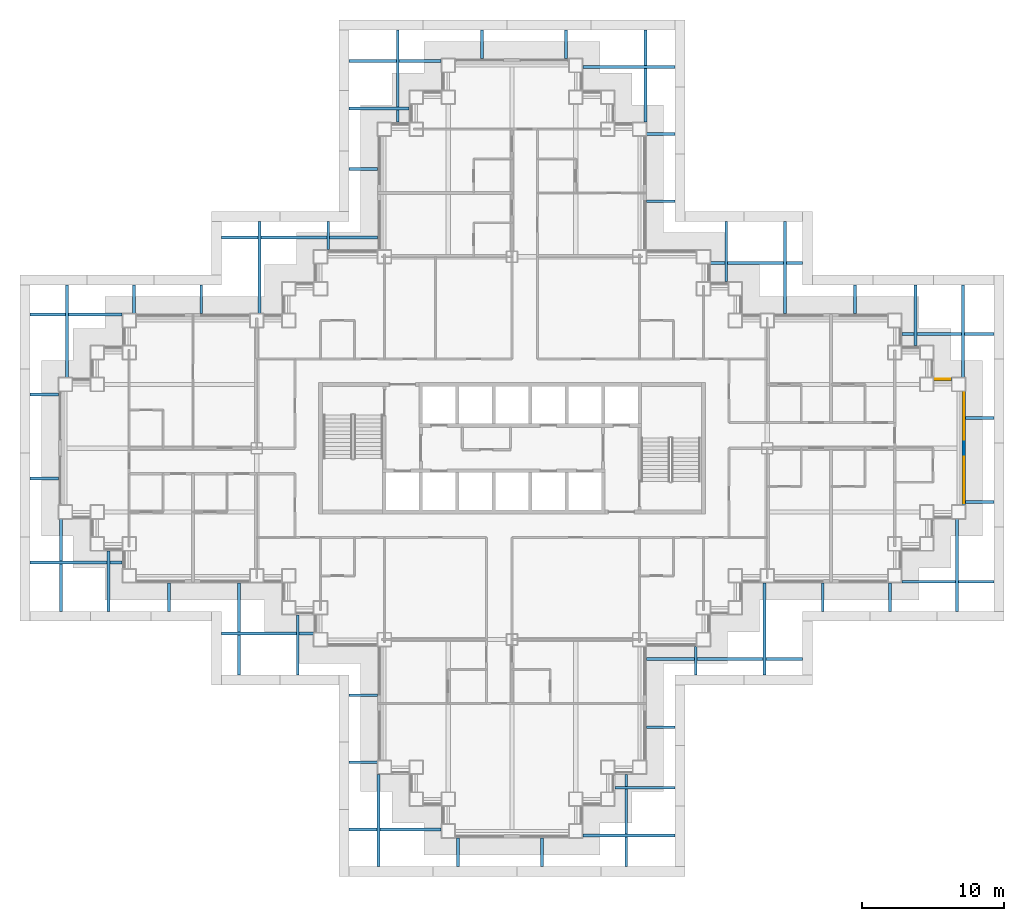
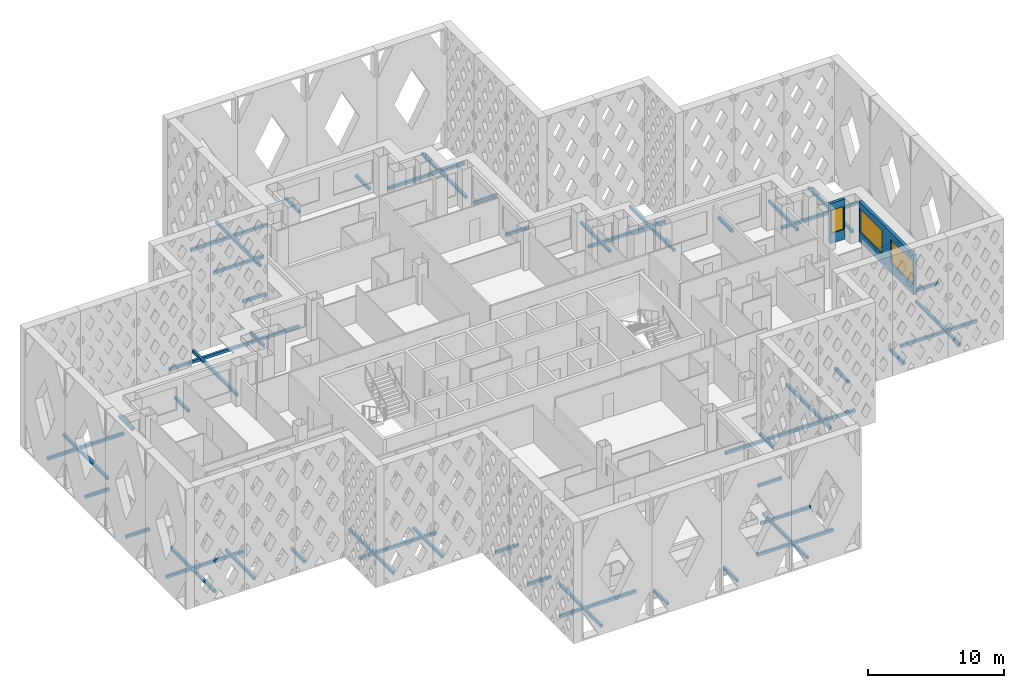
# One storey, part 10 of 19: 52 discrete accessories, 3 windows, 2 walls, 3 openings.
"""IFC4 building model written with IfcOpenShell, lengths in metres."""

from ifc_helpers import new_model, si_unit, direction, frame, frame_2d, origin, origin_2d, place, context, subcontext, project, spatial, rectangle, extrude, material, layer, layer_set, type_object, element, fill, save


model = new_model("IFC4")

# Units and contexts
model_context = context("Model", 3, precision=1e-05, world=origin(), true_north=direction((0.0, 1.0)))
body_context = subcontext(model_context, "Body", "Model", "MODEL_VIEW")
ifc_project = project(units=[si_unit("LENGTHUNIT", "METRE"), si_unit("AREAUNIT", "SQUARE_METRE"), si_unit("VOLUMEUNIT", "CUBIC_METRE"), si_unit("PLANEANGLEUNIT", "RADIAN"), si_unit("MASSUNIT", "GRAM", prefix="KILO")], contexts=[model_context])

# Site, building, storey
site_placement = place(None, origin())
site = spatial("IfcSite", under=ifc_project, at=site_placement, CompositionType="ELEMENT")
building_placement = place(site_placement, origin())
building = spatial("IfcBuilding", under=site, at=building_placement, Name="Caravel Reach Hotel and Residences", CompositionType="ELEMENT")
storey_placement = place(building_placement, frame((0.0, 0.0, 74.39990234375)))
storey = spatial("IfcBuildingStorey", under=building, at=storey_placement, Name="L17", CompositionType="ELEMENT", Elevation=74.39990234375)

# Wall, openings, windows
ifc_material_1 = material(Name="Insulated rainscreen wall, aluminium cladding", Category="aluminium")
ifc_layer = layer(ifc_material_1, 0.25)
ifc_layer_set = layer_set([ifc_layer], Name="EW1 Tower rainscreen wall")
wall_type = type_object("IfcWallType", Name="EW1 Tower rainscreen wall", PredefinedType="SOLIDWALL", material=ifc_layer_set)
wall_1_placement = place(storey_placement, frame((63.375, 23.0, 0.0), z_axis=(0.0, 0.0, 1.0), x_axis=(0.0, 1.0, 0.0)))
wall_1 = element("IfcWall", 1, at=wall_1_placement, inside=storey, type_object=wall_type, Name="External wall L17 E20.1", PredefinedType="SOLIDWALL", context=body_context, shape_type="SweptSolid", body=[
    extrude(rectangle(XDim=8.0, YDim=0.25, at=frame_2d((4.0, 0.0))), origin(), (0.0, 0.0, 1.0), 3.60009765625),
])
opening_1_placement = place(wall_1_placement, frame((0.10009765625, 0.0, 0.89990234375)))
opening_1 = element("IfcOpeningElement", 2, at=opening_1_placement, cuts=wall_1, Name="Opening WN4", PredefinedType="OPENING", context=body_context, shape_type="SweptSolid", body=[
    extrude(rectangle(XDim=3.300048828125, YDim=2.080078125, at=frame_2d((1.64990234375, 1.0400390625))), frame((0.0, 0.135009765625, 0.0), z_axis=(0.0, -1.0, 0.0), x_axis=(1.0, 0.0, 0.0)), (0.0, 0.0, 1.0), 0.27001953125),
])
opening_2_placement = place(wall_1_placement, frame((4.60009765625, 0.0, 0.89990234375)))
opening_2 = element("IfcOpeningElement", 3, at=opening_2_placement, cuts=wall_1, Name="Opening WN4", PredefinedType="OPENING", context=body_context, shape_type="SweptSolid", body=[
    extrude(rectangle(XDim=3.300048828125, YDim=2.080078125, at=frame_2d((1.64990234375, 1.0400390625))), frame((0.0, 0.135009765625, 0.0), z_axis=(0.0, -1.0, 0.0), x_axis=(1.0, 0.0, 0.0)), (0.0, 0.0, 1.0), 0.27001953125),
])
ifc_material_2 = material(Name="Dark low-e glazing in black aluminium frame", Category="aluminium")
window_type_1 = type_object("IfcWindowType", Name="Hotel guest room window 3300 x 2080", PartitioningType="SINGLE_PANEL", PredefinedType="WINDOW", material=ifc_material_2)
window_1_placement = place(opening_1_placement, origin())
window_1 = element("IfcWindow", 4, at=window_1_placement, inside=storey, type_object=window_type_1, Name="Window L17 E20.1.1", OverallHeight=2.080078125, OverallWidth=3.300048828125, PartitioningType="SINGLE_PANEL", PredefinedType="WINDOW", context=body_context, shape_type="SweptSolid", body=[
    extrude(rectangle(XDim=3.300048828125, YDim=2.080078125, at=frame_2d((1.64990234375, 1.0400390625))), frame((0.0, 0.030029296875, 0.0), z_axis=(0.0, -1.0, 0.0), x_axis=(1.0, 0.0, 0.0)), (0.0, 0.0, 1.0), 0.06005859375),
])
fill(opening_1, window_1)
window_2_placement = place(opening_2_placement, origin())
window_2 = element("IfcWindow", 5, at=window_2_placement, inside=storey, type_object=window_type_1, Name="Window L17 E20.1.2", OverallHeight=2.080078125, OverallWidth=3.300048828125, PartitioningType="SINGLE_PANEL", PredefinedType="WINDOW", context=body_context, shape_type="SweptSolid", body=[
    extrude(rectangle(XDim=3.300048828125, YDim=2.080078125, at=frame_2d((1.64990234375, 1.0400390625))), frame((0.0, 0.030029296875, 0.0), z_axis=(0.0, -1.0, 0.0), x_axis=(1.0, 0.0, 0.0)), (0.0, 0.0, 1.0), 0.06005859375),
])
fill(opening_2, window_2)

# Wall, opening, window
wall_2_placement = place(storey_placement, frame((62.5, 31.875, 0.0), z_axis=(0.0, 0.0, 1.0), x_axis=(-1.0, 0.0, 0.0)))
wall_2 = element("IfcWall", 6, at=wall_2_placement, inside=storey, type_object=wall_type, Name="External wall L17 N21.1", PredefinedType="SOLIDWALL", context=body_context, shape_type="SweptSolid", body=[
    extrude(rectangle(XDim=1.25, YDim=0.25, at=frame_2d((0.625, 0.0))), origin(), (0.0, 0.0, 1.0), 3.60009765625),
])
opening_3_placement = place(wall_2_placement, frame((0.10009765625, 0.0, 0.89990234375)))
opening_3 = element("IfcOpeningElement", 7, at=opening_3_placement, cuts=wall_2, Name="Opening WN3", PredefinedType="OPENING", context=body_context, shape_type="SweptSolid", body=[
    extrude(rectangle(XDim=1.050048828125, YDim=2.080078125, at=frame_2d((0.52490234375, 1.0400390625))), frame((0.0, 0.135009765625, 0.0), z_axis=(0.0, -1.0, 0.0), x_axis=(1.0, 0.0, 0.0)), (0.0, 0.0, 1.0), 0.27001953125),
])
ifc_material_3 = material(Name="Dark low-e glazing in black aluminium frame", Category="aluminium")
window_type_2 = type_object("IfcWindowType", Name="Hotel suite corner window 1050 x 2080", PartitioningType="SINGLE_PANEL", PredefinedType="WINDOW", material=ifc_material_3)
window_3_placement = place(opening_3_placement, origin())
window_3 = element("IfcWindow", 8, at=window_3_placement, inside=storey, type_object=window_type_2, Name="Window L17 N21.1.1", OverallHeight=2.080078125, OverallWidth=1.050048828125, PartitioningType="SINGLE_PANEL", PredefinedType="WINDOW", context=body_context, shape_type="SweptSolid", body=[
    extrude(rectangle(XDim=1.050048828125, YDim=2.080078125, at=frame_2d((0.52490234375, 1.0400390625))), frame((0.0, 0.030029296875, 0.0), z_axis=(0.0, -1.0, 0.0), x_axis=(1.0, 0.0, 0.0)), (0.0, 0.0, 1.0), 0.06005859375),
])
fill(opening_3, window_3)

# Discrete accessories
ifc_material_4 = material(Name="Black powder-coated aluminium", Category="aluminium")
discrete_accessory_type = type_object("IfcDiscreteAccessoryType", Name="BR1 Screen bracket", PredefinedType="BRACKET", material=ifc_material_4)
for number, where, z_axis, x_axis, name in (
    (9, (21.0, 9.580078125, 0.10009765625), (0.0, 0.0, 1.0), (-1.0, 0.0, 0.0), "Screen bracket L17 1.1.1"),
    (10, (21.0, 4.8466796875, 0.10009765625), (0.0, 0.0, 1.0), (-1.0, 0.0, 0.0), "Screen bracket L17 1.2.1"),
):
    element("IfcDiscreteAccessory", number, at=place(storey_placement, frame(where, z_axis=z_axis, x_axis=x_axis)), inside=storey, type_object=discrete_accessory_type, Name=name, PredefinedType="BRACKET", context=body_context, shape_type="SweptSolid", body=[
        extrude(rectangle(XDim=2.0, YDim=0.199951171875, at=origin_2d()), origin(), (0.0, 0.0, 1.0), 0.25),
    ])
for number, where, z_axis, x_axis, name in (
    (11, (23.25, 0.11328125, 0.10009765625), (0.0, 0.0, 1.0), (-1.0, 0.0, 0.0), "Screen bracket L17 1.3.1"),
    (12, (22.077392578125, 0.75, 0.10009765625), (0.0, 0.0, 1.0), (0.0, -1.0, 0.0), "Screen bracket L17 2.1.1"),
):
    element("IfcDiscreteAccessory", number, at=place(storey_placement, frame(where, z_axis=z_axis, x_axis=x_axis)), inside=storey, type_object=discrete_accessory_type, Name=name, PredefinedType="BRACKET", context=body_context, shape_type="SweptSolid", body=[
        extrude(rectangle(XDim=6.5, YDim=0.199951171875, at=origin_2d()), origin(), (0.0, 0.0, 1.0), 0.25),
    ])
for number, where, z_axis, x_axis, name in (
    (13, (27.702392578125, -1.5, 0.10009765625), (0.0, 0.0, 1.0), (0.0, -1.0, 0.0), "Screen bracket L17 2.2.1"),
    (14, (33.62744140625, -1.5, 0.10009765625), (0.0, 0.0, 1.0), (0.0, -1.0, 0.0), "Screen bracket L17 2.3.1"),
):
    element("IfcDiscreteAccessory", number, at=place(storey_placement, frame(where, z_axis=z_axis, x_axis=x_axis)), inside=storey, type_object=discrete_accessory_type, Name=name, PredefinedType="BRACKET", context=body_context, shape_type="SweptSolid", body=[
        extrude(rectangle(XDim=2.0, YDim=0.199951171875, at=origin_2d()), origin(), (0.0, 0.0, 1.0), 0.25),
    ])
for number, where, z_axis, x_axis, name in (
    (15, (39.552490234375, 0.75, 0.10009765625), (0.0, 0.0, 1.0), (0.0, -1.0, 0.0), "Screen bracket L17 2.4.1"),
    (16, (39.75, -0.320068359375, 0.10009765625), (0.0, 0.0, 1.0), (1.0, 0.0, 0.0), "Screen bracket L17 3.1.1"),
):
    element("IfcDiscreteAccessory", number, at=place(storey_placement, frame(where, z_axis=z_axis, x_axis=x_axis)), inside=storey, type_object=discrete_accessory_type, Name=name, PredefinedType="BRACKET", context=body_context, shape_type="SweptSolid", body=[
        extrude(rectangle(XDim=6.5, YDim=0.199951171875, at=origin_2d()), origin(), (0.0, 0.0, 1.0), 0.25),
    ])
discrete_accessory_1_placement = place(storey_placement, frame((40.875, 3.046630859375, 0.10009765625), z_axis=(0.0, 0.0, 1.0), x_axis=(1.0, 0.0, 0.0)))
element("IfcDiscreteAccessory", 17, at=discrete_accessory_1_placement, inside=storey, type_object=discrete_accessory_type, Name="Screen bracket L17 3.2.1", PredefinedType="BRACKET", context=body_context, shape_type="SweptSolid", body=[
    extrude(rectangle(XDim=4.25, YDim=0.199951171875, at=origin_2d()), origin(), (0.0, 0.0, 1.0), 0.25),
])
for number, where, z_axis, x_axis, name in (
    (18, (42.0, 7.313232421875, 0.10009765625), (0.0, 0.0, 1.0), (1.0, 0.0, 0.0), "Screen bracket L17 3.3.1"),
    (19, (44.455078125, 12.0, 0.10009765625), (0.0, 0.0, 1.0), (0.0, -1.0, 0.0), "Screen bracket L17 4.1.1"),
):
    element("IfcDiscreteAccessory", number, at=place(storey_placement, frame(where, z_axis=z_axis, x_axis=x_axis)), inside=storey, type_object=discrete_accessory_type, Name=name, PredefinedType="BRACKET", context=body_context, shape_type="SweptSolid", body=[
        extrude(rectangle(XDim=2.0, YDim=0.199951171875, at=origin_2d()), origin(), (0.0, 0.0, 1.0), 0.25),
    ])
discrete_accessory_2_placement = place(storey_placement, frame((49.304931640625, 14.25, 0.10009765625), z_axis=(0.0, 0.0, 1.0), x_axis=(0.0, -1.0, 0.0)))
element("IfcDiscreteAccessory", 20, at=discrete_accessory_2_placement, inside=storey, type_object=discrete_accessory_type, Name="Screen bracket L17 4.2.1", PredefinedType="BRACKET", context=body_context, shape_type="SweptSolid", body=[
    extrude(rectangle(XDim=6.5, YDim=0.199951171875, at=origin_2d()), origin(), (0.0, 0.0, 1.0), 0.25),
])
discrete_accessory_3_placement = place(storey_placement, frame((46.5, 12.139892578125, 0.10009765625), z_axis=(0.0, 0.0, 1.0), x_axis=(1.0, 0.0, 0.0)))
element("IfcDiscreteAccessory", 21, at=discrete_accessory_3_placement, inside=storey, type_object=discrete_accessory_type, Name="Screen bracket L17 5.1.1", PredefinedType="BRACKET", context=body_context, shape_type="SweptSolid", body=[
    extrude(rectangle(XDim=11.0, YDim=0.199951171875, at=origin_2d()), origin(), (0.0, 0.0, 1.0), 0.25),
])
for number, where, z_axis, x_axis, name in (
    (22, (53.419921875, 16.5, 0.10009765625), (0.0, 0.0, 1.0), (0.0, -1.0, 0.0), "Screen bracket L17 6.1.1"),
    (23, (58.1533203125, 16.5, 0.10009765625), (0.0, 0.0, 1.0), (0.0, -1.0, 0.0), "Screen bracket L17 6.2.1"),
):
    element("IfcDiscreteAccessory", number, at=place(storey_placement, frame(where, z_axis=z_axis, x_axis=x_axis)), inside=storey, type_object=discrete_accessory_type, Name=name, PredefinedType="BRACKET", context=body_context, shape_type="SweptSolid", body=[
        extrude(rectangle(XDim=2.0, YDim=0.199951171875, at=origin_2d()), origin(), (0.0, 0.0, 1.0), 0.25),
    ])
for number, where, z_axis, x_axis, name in (
    (24, (62.88671875, 18.75, 0.10009765625), (0.0, 0.0, 1.0), (0.0, -1.0, 0.0), "Screen bracket L17 6.3.1"),
    (25, (62.25, 17.577392578125, 0.10009765625), (0.0, 0.0, 1.0), (1.0, 0.0, 0.0), "Screen bracket L17 7.1.1"),
):
    element("IfcDiscreteAccessory", number, at=place(storey_placement, frame(where, z_axis=z_axis, x_axis=x_axis)), inside=storey, type_object=discrete_accessory_type, Name=name, PredefinedType="BRACKET", context=body_context, shape_type="SweptSolid", body=[
        extrude(rectangle(XDim=6.5, YDim=0.199951171875, at=origin_2d()), origin(), (0.0, 0.0, 1.0), 0.25),
    ])
for number, where, z_axis, x_axis, name in (
    (26, (64.5, 23.202392578125, 0.10009765625), (0.0, 0.0, 1.0), (1.0, 0.0, 0.0), "Screen bracket L17 7.2.1"),
    (27, (64.5, 29.12744140625, 0.10009765625), (0.0, 0.0, 1.0), (1.0, 0.0, 0.0), "Screen bracket L17 7.3.1"),
):
    element("IfcDiscreteAccessory", number, at=place(storey_placement, frame(where, z_axis=z_axis, x_axis=x_axis)), inside=storey, type_object=discrete_accessory_type, Name=name, PredefinedType="BRACKET", context=body_context, shape_type="SweptSolid", body=[
        extrude(rectangle(XDim=2.0, YDim=0.199951171875, at=origin_2d()), origin(), (0.0, 0.0, 1.0), 0.25),
    ])
for number, where, z_axis, x_axis, name in (
    (28, (62.25, 35.052490234375, 0.10009765625), (0.0, 0.0, 1.0), (1.0, 0.0, 0.0), "Screen bracket L17 7.4.1"),
    (29, (63.320068359375, 35.25, 0.10009765625), (0.0, 0.0, 1.0), (0.0, 1.0, 0.0), "Screen bracket L17 8.1.1"),
):
    element("IfcDiscreteAccessory", number, at=place(storey_placement, frame(where, z_axis=z_axis, x_axis=x_axis)), inside=storey, type_object=discrete_accessory_type, Name=name, PredefinedType="BRACKET", context=body_context, shape_type="SweptSolid", body=[
        extrude(rectangle(XDim=6.5, YDim=0.199951171875, at=origin_2d()), origin(), (0.0, 0.0, 1.0), 0.25),
    ])
discrete_accessory_4_placement = place(storey_placement, frame((59.953369140625, 36.375, 0.10009765625), z_axis=(0.0, 0.0, 1.0), x_axis=(0.0, 1.0, 0.0)))
element("IfcDiscreteAccessory", 30, at=discrete_accessory_4_placement, inside=storey, type_object=discrete_accessory_type, Name="Screen bracket L17 8.2.1", PredefinedType="BRACKET", context=body_context, shape_type="SweptSolid", body=[
    extrude(rectangle(XDim=4.25, YDim=0.199951171875, at=origin_2d()), origin(), (0.0, 0.0, 1.0), 0.25),
])
discrete_accessory_5_placement = place(storey_placement, frame((55.686767578125, 37.5, 0.10009765625), z_axis=(0.0, 0.0, 1.0), x_axis=(0.0, 1.0, 0.0)))
element("IfcDiscreteAccessory", 31, at=discrete_accessory_5_placement, inside=storey, type_object=discrete_accessory_type, Name="Screen bracket L17 8.3.1", PredefinedType="BRACKET", context=body_context, shape_type="SweptSolid", body=[
    extrude(rectangle(XDim=2.0, YDim=0.199951171875, at=origin_2d()), origin(), (0.0, 0.0, 1.0), 0.25),
])
for number, where, z_axis, x_axis, name in (
    (32, (48.75, 40.06005859375, 0.10009765625), (0.0, 0.0, 1.0), (1.0, 0.0, 0.0), "Screen bracket L17 9.1.1"),
    (33, (50.7548828125, 39.75, 0.10009765625), (0.0, 0.0, 1.0), (0.0, 1.0, 0.0), "Screen bracket L17 10.1.1"),
):
    element("IfcDiscreteAccessory", number, at=place(storey_placement, frame(where, z_axis=z_axis, x_axis=x_axis)), inside=storey, type_object=discrete_accessory_type, Name=name, PredefinedType="BRACKET", context=body_context, shape_type="SweptSolid", body=[
        extrude(rectangle(XDim=6.5, YDim=0.199951171875, at=origin_2d()), origin(), (0.0, 0.0, 1.0), 0.25),
    ])
discrete_accessory_6_placement = place(storey_placement, frame((46.60498046875, 40.875, 0.10009765625), z_axis=(0.0, 0.0, 1.0), x_axis=(0.0, 1.0, 0.0)))
element("IfcDiscreteAccessory", 34, at=discrete_accessory_6_placement, inside=storey, type_object=discrete_accessory_type, Name="Screen bracket L17 10.2.1", PredefinedType="BRACKET", context=body_context, shape_type="SweptSolid", body=[
    extrude(rectangle(XDim=4.25, YDim=0.199951171875, at=origin_2d()), origin(), (0.0, 0.0, 1.0), 0.25),
])
for number, where, z_axis, x_axis, name in (
    (35, (42.0, 44.419921875, 0.10009765625), (0.0, 0.0, 1.0), (1.0, 0.0, 0.0), "Screen bracket L17 11.1.1"),
    (36, (42.0, 49.1533203125, 0.10009765625), (0.0, 0.0, 1.0), (1.0, 0.0, 0.0), "Screen bracket L17 11.2.1"),
):
    element("IfcDiscreteAccessory", number, at=place(storey_placement, frame(where, z_axis=z_axis, x_axis=x_axis)), inside=storey, type_object=discrete_accessory_type, Name=name, PredefinedType="BRACKET", context=body_context, shape_type="SweptSolid", body=[
        extrude(rectangle(XDim=2.0, YDim=0.199951171875, at=origin_2d()), origin(), (0.0, 0.0, 1.0), 0.25),
    ])
for number, where, z_axis, x_axis, name in (
    (37, (39.75, 53.88671875, 0.10009765625), (0.0, 0.0, 1.0), (1.0, 0.0, 0.0), "Screen bracket L17 11.3.1"),
    (38, (40.922607421875, 53.25, 0.10009765625), (0.0, 0.0, 1.0), (0.0, 1.0, 0.0), "Screen bracket L17 12.1.1"),
):
    element("IfcDiscreteAccessory", number, at=place(storey_placement, frame(where, z_axis=z_axis, x_axis=x_axis)), inside=storey, type_object=discrete_accessory_type, Name=name, PredefinedType="BRACKET", context=body_context, shape_type="SweptSolid", body=[
        extrude(rectangle(XDim=6.5, YDim=0.199951171875, at=origin_2d()), origin(), (0.0, 0.0, 1.0), 0.25),
    ])
for number, where, z_axis, x_axis, name in (
    (39, (35.297607421875, 55.5, 0.10009765625), (0.0, 0.0, 1.0), (0.0, 1.0, 0.0), "Screen bracket L17 12.2.1"),
    (40, (29.37255859375, 55.5, 0.10009765625), (0.0, 0.0, 1.0), (0.0, 1.0, 0.0), "Screen bracket L17 12.3.1"),
):
    element("IfcDiscreteAccessory", number, at=place(storey_placement, frame(where, z_axis=z_axis, x_axis=x_axis)), inside=storey, type_object=discrete_accessory_type, Name=name, PredefinedType="BRACKET", context=body_context, shape_type="SweptSolid", body=[
        extrude(rectangle(XDim=2.0, YDim=0.199951171875, at=origin_2d()), origin(), (0.0, 0.0, 1.0), 0.25),
    ])
for number, where, z_axis, x_axis, name in (
    (41, (23.447509765625, 53.25, 0.10009765625), (0.0, 0.0, 1.0), (0.0, 1.0, 0.0), "Screen bracket L17 12.4.1"),
    (42, (23.25, 54.320068359375, 0.10009765625), (0.0, 0.0, 1.0), (-1.0, 0.0, 0.0), "Screen bracket L17 13.1.1"),
):
    element("IfcDiscreteAccessory", number, at=place(storey_placement, frame(where, z_axis=z_axis, x_axis=x_axis)), inside=storey, type_object=discrete_accessory_type, Name=name, PredefinedType="BRACKET", context=body_context, shape_type="SweptSolid", body=[
        extrude(rectangle(XDim=6.5, YDim=0.199951171875, at=origin_2d()), origin(), (0.0, 0.0, 1.0), 0.25),
    ])
discrete_accessory_7_placement = place(storey_placement, frame((22.125, 50.953369140625, 0.10009765625), z_axis=(0.0, 0.0, 1.0), x_axis=(-1.0, 0.0, 0.0)))
element("IfcDiscreteAccessory", 43, at=discrete_accessory_7_placement, inside=storey, type_object=discrete_accessory_type, Name="Screen bracket L17 13.2.1", PredefinedType="BRACKET", context=body_context, shape_type="SweptSolid", body=[
    extrude(rectangle(XDim=4.25, YDim=0.199951171875, at=origin_2d()), origin(), (0.0, 0.0, 1.0), 0.25),
])
for number, where, z_axis, x_axis, name in (
    (44, (21.0, 46.686767578125, 0.10009765625), (0.0, 0.0, 1.0), (-1.0, 0.0, 0.0), "Screen bracket L17 13.3.1"),
    (45, (18.544921875, 42.0, 0.10009765625), (0.0, 0.0, 1.0), (0.0, 1.0, 0.0), "Screen bracket L17 14.1.1"),
):
    element("IfcDiscreteAccessory", number, at=place(storey_placement, frame(where, z_axis=z_axis, x_axis=x_axis)), inside=storey, type_object=discrete_accessory_type, Name=name, PredefinedType="BRACKET", context=body_context, shape_type="SweptSolid", body=[
        extrude(rectangle(XDim=2.0, YDim=0.199951171875, at=origin_2d()), origin(), (0.0, 0.0, 1.0), 0.25),
    ])
discrete_accessory_8_placement = place(storey_placement, frame((13.695068359375, 39.75, 0.10009765625), z_axis=(0.0, 0.0, 1.0), x_axis=(0.0, 1.0, 0.0)))
element("IfcDiscreteAccessory", 46, at=discrete_accessory_8_placement, inside=storey, type_object=discrete_accessory_type, Name="Screen bracket L17 14.2.1", PredefinedType="BRACKET", context=body_context, shape_type="SweptSolid", body=[
    extrude(rectangle(XDim=6.5, YDim=0.199951171875, at=origin_2d()), origin(), (0.0, 0.0, 1.0), 0.25),
])
discrete_accessory_9_placement = place(storey_placement, frame((16.5, 41.860107421875, 0.10009765625), z_axis=(0.0, 0.0, 1.0), x_axis=(-1.0, 0.0, 0.0)))
element("IfcDiscreteAccessory", 47, at=discrete_accessory_9_placement, inside=storey, type_object=discrete_accessory_type, Name="Screen bracket L17 15.1.1", PredefinedType="BRACKET", context=body_context, shape_type="SweptSolid", body=[
    extrude(rectangle(XDim=11.0, YDim=0.199951171875, at=origin_2d()), origin(), (0.0, 0.0, 1.0), 0.25),
])
for number, where, z_axis, x_axis, name in (
    (48, (9.580078125, 37.5, 0.10009765625), (0.0, 0.0, 1.0), (0.0, 1.0, 0.0), "Screen bracket L17 16.1.1"),
    (49, (4.8466796875, 37.5, 0.10009765625), (0.0, 0.0, 1.0), (0.0, 1.0, 0.0), "Screen bracket L17 16.2.1"),
):
    element("IfcDiscreteAccessory", number, at=place(storey_placement, frame(where, z_axis=z_axis, x_axis=x_axis)), inside=storey, type_object=discrete_accessory_type, Name=name, PredefinedType="BRACKET", context=body_context, shape_type="SweptSolid", body=[
        extrude(rectangle(XDim=2.0, YDim=0.199951171875, at=origin_2d()), origin(), (0.0, 0.0, 1.0), 0.25),
    ])
for number, where, z_axis, x_axis, name in (
    (50, (0.11328125, 35.25, 0.10009765625), (0.0, 0.0, 1.0), (0.0, 1.0, 0.0), "Screen bracket L17 16.3.1"),
    (51, (0.75, 36.422607421875, 0.10009765625), (0.0, 0.0, 1.0), (-1.0, 0.0, 0.0), "Screen bracket L17 17.1.1"),
):
    element("IfcDiscreteAccessory", number, at=place(storey_placement, frame(where, z_axis=z_axis, x_axis=x_axis)), inside=storey, type_object=discrete_accessory_type, Name=name, PredefinedType="BRACKET", context=body_context, shape_type="SweptSolid", body=[
        extrude(rectangle(XDim=6.5, YDim=0.199951171875, at=origin_2d()), origin(), (0.0, 0.0, 1.0), 0.25),
    ])
for number, where, z_axis, x_axis, name in (
    (52, (-1.5, 30.797607421875, 0.10009765625), (0.0, 0.0, 1.0), (-1.0, 0.0, 0.0), "Screen bracket L17 17.2.1"),
    (53, (-1.5, 24.87255859375, 0.10009765625), (0.0, 0.0, 1.0), (-1.0, 0.0, 0.0), "Screen bracket L17 17.3.1"),
):
    element("IfcDiscreteAccessory", number, at=place(storey_placement, frame(where, z_axis=z_axis, x_axis=x_axis)), inside=storey, type_object=discrete_accessory_type, Name=name, PredefinedType="BRACKET", context=body_context, shape_type="SweptSolid", body=[
        extrude(rectangle(XDim=2.0, YDim=0.199951171875, at=origin_2d()), origin(), (0.0, 0.0, 1.0), 0.25),
    ])
for number, where, z_axis, x_axis, name in (
    (54, (0.75, 18.947509765625, 0.10009765625), (0.0, 0.0, 1.0), (-1.0, 0.0, 0.0), "Screen bracket L17 17.4.1"),
    (55, (-0.320068359375, 18.75, 0.10009765625), (0.0, 0.0, 1.0), (0.0, -1.0, 0.0), "Screen bracket L17 18.1.1"),
):
    element("IfcDiscreteAccessory", number, at=place(storey_placement, frame(where, z_axis=z_axis, x_axis=x_axis)), inside=storey, type_object=discrete_accessory_type, Name=name, PredefinedType="BRACKET", context=body_context, shape_type="SweptSolid", body=[
        extrude(rectangle(XDim=6.5, YDim=0.199951171875, at=origin_2d()), origin(), (0.0, 0.0, 1.0), 0.25),
    ])
discrete_accessory_10_placement = place(storey_placement, frame((3.046630859375, 17.625, 0.10009765625), z_axis=(0.0, 0.0, 1.0), x_axis=(0.0, -1.0, 0.0)))
element("IfcDiscreteAccessory", 56, at=discrete_accessory_10_placement, inside=storey, type_object=discrete_accessory_type, Name="Screen bracket L17 18.2.1", PredefinedType="BRACKET", context=body_context, shape_type="SweptSolid", body=[
    extrude(rectangle(XDim=4.25, YDim=0.199951171875, at=origin_2d()), origin(), (0.0, 0.0, 1.0), 0.25),
])
discrete_accessory_11_placement = place(storey_placement, frame((7.313232421875, 16.5, 0.10009765625), z_axis=(0.0, 0.0, 1.0), x_axis=(0.0, -1.0, 0.0)))
element("IfcDiscreteAccessory", 57, at=discrete_accessory_11_placement, inside=storey, type_object=discrete_accessory_type, Name="Screen bracket L17 18.3.1", PredefinedType="BRACKET", context=body_context, shape_type="SweptSolid", body=[
    extrude(rectangle(XDim=2.0, YDim=0.199951171875, at=origin_2d()), origin(), (0.0, 0.0, 1.0), 0.25),
])
for number, where, z_axis, x_axis, name in (
    (58, (14.25, 13.93994140625, 0.10009765625), (0.0, 0.0, 1.0), (-1.0, 0.0, 0.0), "Screen bracket L17 19.1.1"),
    (59, (12.2451171875, 14.25, 0.10009765625), (0.0, 0.0, 1.0), (0.0, -1.0, 0.0), "Screen bracket L17 20.1.1"),
):
    element("IfcDiscreteAccessory", number, at=place(storey_placement, frame(where, z_axis=z_axis, x_axis=x_axis)), inside=storey, type_object=discrete_accessory_type, Name=name, PredefinedType="BRACKET", context=body_context, shape_type="SweptSolid", body=[
        extrude(rectangle(XDim=6.5, YDim=0.199951171875, at=origin_2d()), origin(), (0.0, 0.0, 1.0), 0.25),
    ])
discrete_accessory_12_placement = place(storey_placement, frame((16.39501953125, 13.125, 0.10009765625), z_axis=(0.0, 0.0, 1.0), x_axis=(0.0, -1.0, 0.0)))
element("IfcDiscreteAccessory", 60, at=discrete_accessory_12_placement, inside=storey, type_object=discrete_accessory_type, Name="Screen bracket L17 20.2.1", PredefinedType="BRACKET", context=body_context, shape_type="SweptSolid", body=[
    extrude(rectangle(XDim=4.25, YDim=0.199951171875, at=origin_2d()), origin(), (0.0, 0.0, 1.0), 0.25),
])

save(model, "model.ifc")
